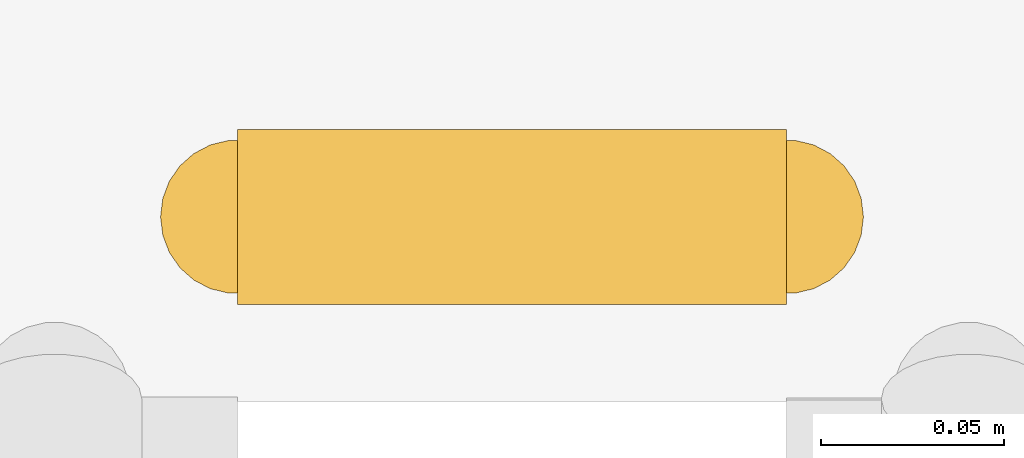
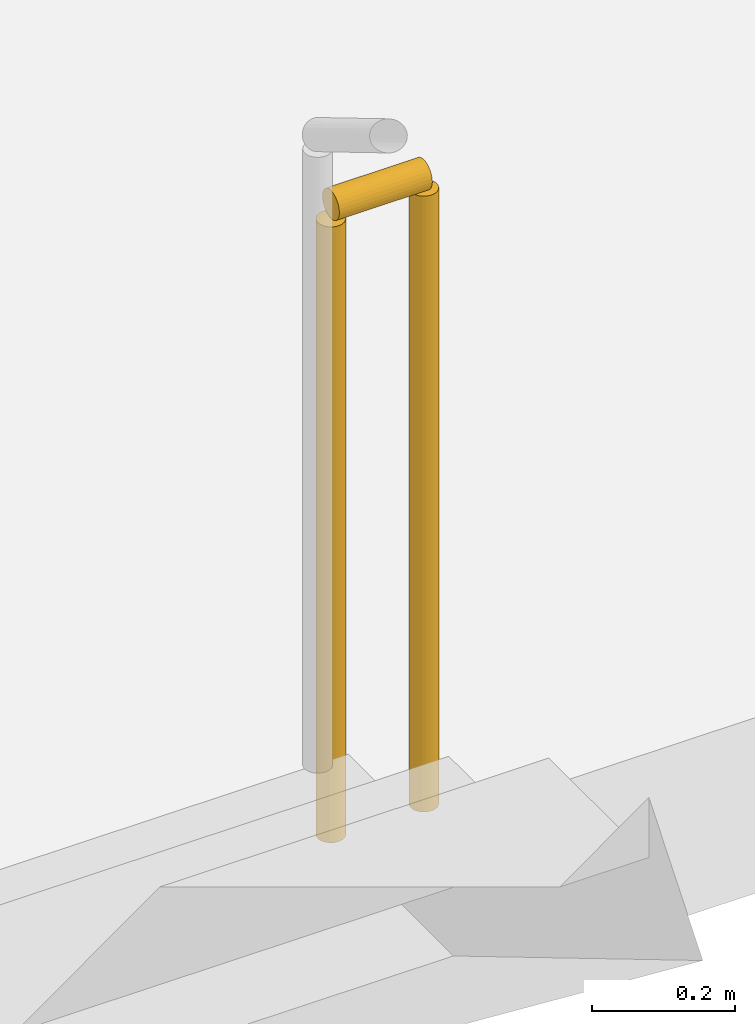
# One storey, part 31 of 32: 1 railing.
"""IFC4 building model written with IfcOpenShell, lengths in metres."""

import ifcopenshell
import ifcopenshell.guid

model = None  # the IFC model being written
_history = None  # IfcOwnerHistory: only IFC2X3 demands one
_inside = {}  # id of a spatial element -> (the spatial element, [elements in it])
_under = {}  # id of a project, library or spatial element -> (it, [spatial elements below it])
_declared = {}  # id of a project -> (the project, [libraries it declares])
_typed = {}  # id of a type object -> (the type object, [elements of that type])
_made_of = {}  # id of a material, layer set ... -> (it, [elements and type objects made of it])


def new_model(schema):
    """Start an empty IFC model of exactly this schema.

    Asked for "IFC4X3", IfcOpenShell would pick the latest addendum, in which some entities
    have other attributes; the version numbers below select the first issue.
    IFC2X3 requires an IfcOwnerHistory on every rooted entity: one is made here for all.
    """
    global model, _history
    if schema == "IFC4X3":
        model = ifcopenshell.file(schema_version=(4, 3, 0, 0))
    else:
        model = ifcopenshell.file(schema=schema)
    _inside.clear()
    _under.clear()
    _declared.clear()
    _typed.clear()
    _made_of.clear()
    _history = None
    if model.schema == "IFC2X3":
        org = make("IfcOrganization", Name="unknown")
        user = make(
            "IfcPersonAndOrganization",
            ThePerson=make("IfcPerson", FamilyName="unknown"),
            TheOrganization=org,
        )
        app = make(
            "IfcApplication",
            ApplicationDeveloper=org,
            Version="unknown",
            ApplicationFullName="unknown",
            ApplicationIdentifier="unknown",
        )
        _history = make(
            "IfcOwnerHistory",
            OwningUser=user,
            OwningApplication=app,
            ChangeAction="ADDED",
            CreationDate=0,
        )
    return model


def make(cls, **values):
    """One entity of the class cls with the attributes given. An attribute that is None is left unset."""
    return model.create_entity(
        cls, **{name: value for name, value in values.items() if value is not None}
    )


def rooted(cls, **values):
    """An entity with a GlobalId (a new one), such as an element, a storey or a relation."""
    return make(cls, GlobalId=ifcopenshell.guid.new(), OwnerHistory=_history, **values)


def si_unit(unit_type, name, prefix=None):
    """IfcSIUnit, for example si_unit("LENGTHUNIT", "METRE", prefix="MILLI")."""
    return make("IfcSIUnit", UnitType=unit_type, Prefix=prefix, Name=name)


def assignment(units):
    """IfcUnitAssignment: the units of a project."""
    return None if units is None else make("IfcUnitAssignment", Units=units)


def point(xyz):
    """IfcCartesianPoint."""
    return None if xyz is None else make("IfcCartesianPoint", Coordinates=xyz)


def direction(xyz):
    """IfcDirection."""
    return None if xyz is None else make("IfcDirection", DirectionRatios=xyz)


def frame(location, z_axis=None, x_axis=None):
    """IfcAxis2Placement3D, a coordinate frame: its origin and axes. An axis left out is left unset."""
    return make(
        "IfcAxis2Placement3D",
        Location=point(location),
        Axis=direction(z_axis),
        RefDirection=direction(x_axis),
    )


def frame_2d(location, x_axis=None):
    """IfcAxis2Placement2D, a coordinate frame in the plane: its origin and x axis."""
    return make(
        "IfcAxis2Placement2D", Location=point(location), RefDirection=direction(x_axis)
    )


def origin():
    """The frame at (0, 0, 0) with its axes left unset."""
    return frame((0.0, 0.0, 0.0))


def origin_2d():
    """The frame at (0, 0) in the plane with its x axis left unset."""
    return frame_2d((0.0, 0.0))


def place(relative_to, where):
    """IfcLocalPlacement: puts the frame where relative to a parent placement (None: the world)."""
    return make(
        "IfcLocalPlacement", PlacementRelTo=relative_to, RelativePlacement=where
    )


def context(
    kind, dimensions, precision=None, world=None, true_north=None, identifier=None
):
    """IfcGeometricRepresentationContext, for example the 3D "Model" context."""
    return make(
        "IfcGeometricRepresentationContext",
        ContextIdentifier=identifier,
        ContextType=kind,
        CoordinateSpaceDimension=dimensions,
        Precision=precision,
        WorldCoordinateSystem=world,
        TrueNorth=true_north,
    )


def subcontext(parent, identifier, kind, view, scale=None):
    """IfcGeometricRepresentationSubContext, for example "Body" below "Model"."""
    return make(
        "IfcGeometricRepresentationSubContext",
        ContextIdentifier=identifier,
        ContextType=kind,
        ParentContext=parent,
        TargetScale=scale,
        TargetView=view,
    )


def project(units=None, contexts=None):
    """IfcProject with its units and contexts."""
    return rooted(
        "IfcProject",
        Name="project",
        RepresentationContexts=contexts,
        UnitsInContext=assignment(units),
    )


def spatial(cls, under=None, at=None, **own):
    """A site, building, storey or space (cls), placed at a placement, below another one or the project."""
    s = rooted(cls, ObjectPlacement=at, **own)
    if under is not None:
        _under.setdefault(under.id(), (under, []))[1].append(s)
    return s


def profile(cls, at=None, kind="AREA", **sizes):
    """A parametric profile (cls). Its sizes go by their IFC names, for example OverallWidth=200.0."""
    return make(cls, ProfileType=kind, Position=at, **sizes)


def circle(**sizes):
    """IfcCircleProfileDef."""
    return profile("IfcCircleProfileDef", **sizes)


def extrude(swept, where, along, depth):
    """IfcExtrudedAreaSolid: the profile swept, set in the frame where, extruded along a direction by depth."""
    return make(
        "IfcExtrudedAreaSolid",
        SweptArea=swept,
        Position=where,
        ExtrudedDirection=direction(along),
        Depth=depth,
    )


def shape(context_of_items, identifier, shape_type, items):
    """IfcShapeRepresentation: the items that make up one representation, for example the "Body"."""
    return make(
        "IfcShapeRepresentation",
        ContextOfItems=context_of_items,
        RepresentationIdentifier=identifier,
        RepresentationType=shape_type,
        Items=items,
    )


def material(Name=None, Category=None):
    """IfcMaterial."""
    return make("IfcMaterial", Name=Name, Category=Category)


def made_of(thing, what):
    """Note that an element or type object is made of a material, layer set ...; save() writes the relation."""
    if what is not None:
        _made_of.setdefault(what.id(), (what, []))[1].append(thing)
    return thing


def type_object(cls, material=None, **own):
    """A type object (cls), such as IfcWallType, which elements share."""
    return made_of(rooted(cls, **own), material)


def element(
    cls,
    number,
    at=None,
    inside=None,
    cuts=None,
    type_object=None,
    material=None,
    context=None,
    identifier="Body",
    shape_type=None,
    held_by="IfcProductDefinitionShape",
    body=None,
    shapes=None,
    **own,
):
    """One element of the class cls, such as IfcWall. Its Tag is "e" and its number.

    at: its placement. inside: the storey or other place that contains it. cuts: it is an
    opening in that element (IfcRelVoidsElement). A single representation is given by context,
    identifier, shape_type and body (its items); several are given by shapes. held_by: the class
    of the entity that holds the representations. save() writes the other relations.
    """
    e = rooted(cls, Tag="e%d" % number, ObjectPlacement=at, **own)
    if body is not None:
        shapes = [shape(context, identifier, shape_type, body)]
    if shapes is not None:
        e.Representation = make(held_by, Representations=shapes)
    if inside is not None:
        _inside.setdefault(inside.id(), (inside, []))[1].append(e)
    if cuts is not None:
        rooted(
            "IfcRelVoidsElement", RelatingBuildingElement=cuts, RelatedOpeningElement=e
        )
    if type_object is not None:
        _typed.setdefault(type_object.id(), (type_object, []))[1].append(e)
    return made_of(e, material)


def aggregate(whole, parts):
    """IfcRelAggregates: a whole, such as a stair, and the parts it consists of."""
    return rooted("IfcRelAggregates", RelatingObject=whole, RelatedObjects=parts)


def save(model, path):
    """Write the relations noted so far, then the file.

    IfcRelAggregates (storeys below a building ...), IfcRelContainedInSpatialStructure (elements
    in a storey), IfcRelDefinesByType, IfcRelAssociatesMaterial and IfcRelDeclares: one each for
    every whole, place, type object, material and project.
    """
    for whole, parts in _under.values():
        aggregate(whole, parts)
    for where, things in _inside.values():
        rooted(
            "IfcRelContainedInSpatialStructure",
            RelatedElements=things,
            RelatingStructure=where,
        )
    for kind, things in _typed.values():
        rooted("IfcRelDefinesByType", RelatedObjects=things, RelatingType=kind)
    for what, things in _made_of.values():
        rooted("IfcRelAssociatesMaterial", RelatedObjects=things, RelatingMaterial=what)
    for by, libraries in _declared.values():
        rooted("IfcRelDeclares", RelatingContext=by, RelatedDefinitions=libraries)
    model.write(path)


model = new_model("IFC4")

# Units and contexts
model_context = context("Model", 3, precision=1e-05, world=origin(), true_north=direction((0.0, 1.0)))
body_context = subcontext(model_context, "Body", "Model", "MODEL_VIEW")
ifc_project = project(units=[si_unit("LENGTHUNIT", "METRE"), si_unit("AREAUNIT", "SQUARE_METRE"), si_unit("VOLUMEUNIT", "CUBIC_METRE"), si_unit("PLANEANGLEUNIT", "RADIAN"), si_unit("MASSUNIT", "GRAM", prefix="KILO")], contexts=[model_context])

# Site, building, storey
site_placement = place(None, origin())
site = spatial("IfcSite", under=ifc_project, at=site_placement, CompositionType="ELEMENT")
building_placement = place(site_placement, origin())
building = spatial("IfcBuilding", under=site, at=building_placement, Name="Tamorin Gate", CompositionType="ELEMENT")
storey_placement = place(building_placement, frame((0.0, 0.0, 18.5)))
storey = spatial("IfcBuildingStorey", under=building, at=storey_placement, Name="L03", CompositionType="ELEMENT", Elevation=18.5)

# Railing
ifc_material = material(Name="Steel, galvanised", Category="steel")
railing_type = type_object("IfcRailingType", Name="Steel guard 1100 museum", PredefinedType="GUARDRAIL", material=ifc_material)
railing_placement = place(storey_placement, frame((148.699951171875, 95.64990234375, 0.0)))
element("IfcRailing", 1, at=railing_placement, inside=storey, type_object=railing_type, Name="L03 PS6 stair guard 4", PredefinedType="GUARDRAIL", context=body_context, shape_type="SweptSolid", body=[
    extrude(circle(Radius=0.02392578125, at=origin_2d()), frame((0.0, 0.0, 1.076171875), z_axis=(1.0, 0.0, 0.0), x_axis=(0.0, 1.0, 0.0)), (0.0, 0.0, 1.0), 0.150146484375),
    extrude(circle(Radius=0.02099609375, at=origin_2d()), origin(), (0.0, 0.0, 1.0), 1.052001953125),
    extrude(circle(Radius=0.02099609375, at=origin_2d()), frame((0.150146484375, 0.0, 0.0)), (0.0, 0.0, 1.0), 1.052001953125),
])

save(model, "model.ifc")
